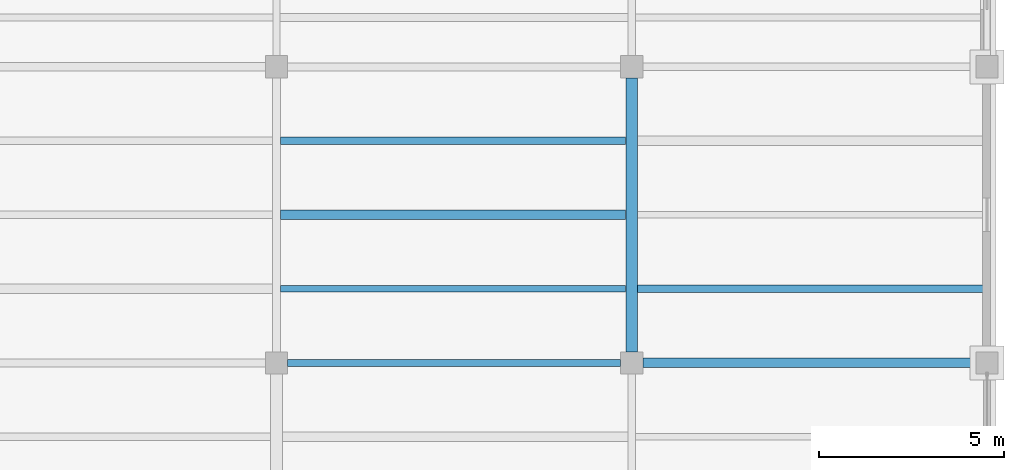
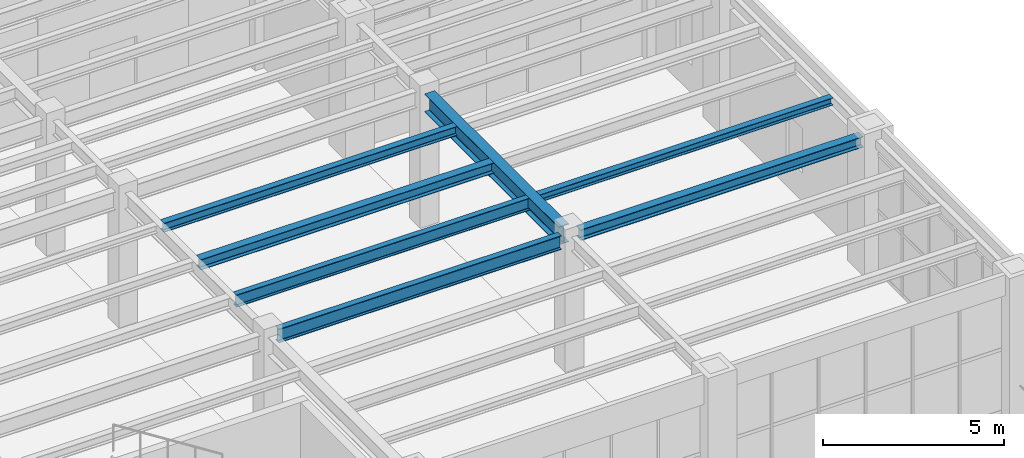
# One storey, part 39 of 83: 7 beams.
"""IFC4 building model written with IfcOpenShell, lengths in metres."""

from ifc_helpers import new_model, si_unit, direction, frame, origin, origin_2d, place, context, subcontext, project, spatial, i_section, extrude, material, material_profile, profile_set, type_object, element, save


model = new_model("IFC4")

# Units and contexts
model_context = context("Model", 3, precision=1e-05, world=origin(), true_north=direction((0.0, 1.0)))
body_context = subcontext(model_context, "Body", "Model", "MODEL_VIEW")
ifc_project = project(units=[si_unit("LENGTHUNIT", "METRE"), si_unit("AREAUNIT", "SQUARE_METRE"), si_unit("VOLUMEUNIT", "CUBIC_METRE"), si_unit("PLANEANGLEUNIT", "RADIAN"), si_unit("MASSUNIT", "GRAM", prefix="KILO")], contexts=[model_context])

# Site, building, storey
site_placement = place(None, origin())
site = spatial("IfcSite", under=ifc_project, at=site_placement, CompositionType="ELEMENT")
building_placement = place(site_placement, origin())
building = spatial("IfcBuilding", under=site, at=building_placement, Name="Mavantir Sound Aquarium", CompositionType="ELEMENT")
storey_placement = place(building_placement, frame((0.0, 0.0, 10.5)))
storey = spatial("IfcBuildingStorey", under=building, at=storey_placement, Name="L02", CompositionType="ELEMENT", Elevation=10.5)

# Beams
ifc_material = material(Name="Structural Steel ASTM A992 Gr50", Category="steel")
ifc_material_profile_1 = material_profile(ifc_material, i_section(OverallWidth=0.202880859375, OverallDepth=0.251953125, WebThickness=0.008056640625, FlangeThickness=0.013427734375, FilletRadius=0.011962890625, at=origin_2d()), Name="W250X58")
ifc_profile_set_1 = profile_set([ifc_material_profile_1], Name="Structural Steel ASTM A992 Gr50")
beam_type_1 = type_object("IfcBeamType", Name="BM-W250X58-I", PredefinedType="JOIST", material=ifc_profile_set_1)
beam_1_placement = place(storey_placement, frame((165.761962890625, 50.800048828125, 4.360107421875), z_axis=(1.0, 0.0, 0.0), x_axis=(0.0, 1.0, 0.0)))
element("IfcBeam", 1, at=beam_1_placement, inside=storey, type_object=beam_type_1, Name="L02 secondary floor joist SJ-25 924", PredefinedType="JOIST", context=body_context, shape_type="SweptSolid", body=[
    extrude(i_section(OverallWidth=0.202880859375, OverallDepth=0.251953125, WebThickness=0.008056640625, FlangeThickness=0.013427734375, FilletRadius=0.011962890625, at=origin_2d()), origin(), (0.0, 0.0, 1.0), 9.338134765625),
])
ifc_material_profile_2 = material_profile(ifc_material, i_section(OverallWidth=0.205078125, OverallDepth=0.31005859375, WebThickness=0.009521484375, FlangeThickness=0.016357421875, FilletRadius=0.012939453125, at=origin_2d()), Name="W310X74")
ifc_profile_set_2 = profile_set([ifc_material_profile_2], Name="Structural Steel ASTM A992 Gr50")
beam_type_2 = type_object("IfcBeamType", Name="BM-W310X74-I", PredefinedType="JOIST", material=ifc_profile_set_2)
beam_2_placement = place(storey_placement, frame((156.10595703125, 54.800048828125, 4.3310546875), z_axis=(1.0, 0.0, 0.0), x_axis=(0.0, 1.0, 0.0)))
element("IfcBeam", 2, at=beam_2_placement, inside=storey, type_object=beam_type_2, Name="L02 secondary floor joist SJ-31 923", PredefinedType="JOIST", context=body_context, shape_type="SweptSolid", body=[
    extrude(i_section(OverallWidth=0.205078125, OverallDepth=0.31005859375, WebThickness=0.009521484375, FlangeThickness=0.016357421875, FilletRadius=0.012939453125, at=origin_2d()), origin(), (0.0, 0.0, 1.0), 9.33203125),
])
ifc_material_profile_3 = material_profile(ifc_material, i_section(OverallWidth=0.257080078125, OverallDepth=0.363037109375, WebThickness=0.012939453125, FlangeThickness=0.021728515625, FilletRadius=0.014892578125, at=origin_2d()), Name="W360X122")
ifc_profile_set_3 = profile_set([ifc_material_profile_3], Name="Structural Steel ASTM A992 Gr50")
beam_type_3 = type_object("IfcBeamType", Name="BM-W360X122-I", PredefinedType="BEAM", material=ifc_profile_set_3)
beam_3_placement = place(storey_placement, frame((165.89990234375, 48.800048828125, 4.304443359375), z_axis=(1.0, 0.0, 0.0), x_axis=(0.0, 1.0, 0.0)))
element("IfcBeam", 3, at=beam_3_placement, inside=storey, type_object=beam_type_3, Name="L02 primary beam SB-36A 1528", PredefinedType="BEAM", context=body_context, shape_type="SweptSolid", body=[
    extrude(i_section(OverallWidth=0.257080078125, OverallDepth=0.363037109375, WebThickness=0.012939453125, FlangeThickness=0.021728515625, FilletRadius=0.014892578125, at=origin_2d()), origin(), (0.0, 0.0, 1.0), 9.0),
])
ifc_material_profile_4 = material_profile(ifc_material, i_section(OverallWidth=0.25390625, OverallDepth=0.35302734375, WebThickness=0.009521484375, FlangeThickness=0.016357421875, FilletRadius=0.014892578125, at=origin_2d()), Name="W360X91")
ifc_profile_set_4 = profile_set([ifc_material_profile_4], Name="Structural Steel ASTM A992 Gr50")
beam_type_4 = type_object("IfcBeamType", Name="BM-W360X91-I", PredefinedType="JOIST", material=ifc_profile_set_4)
beam_4_placement = place(storey_placement, frame((156.10595703125, 52.800048828125, 4.3095703125), z_axis=(1.0, 0.0, 0.0), x_axis=(0.0, 1.0, 0.0)))
element("IfcBeam", 4, at=beam_4_placement, inside=storey, type_object=beam_type_4, Name="L02 secondary floor joist SJ-36 922", PredefinedType="JOIST", context=body_context, shape_type="SweptSolid", body=[
    extrude(i_section(OverallWidth=0.25390625, OverallDepth=0.35302734375, WebThickness=0.009521484375, FlangeThickness=0.016357421875, FilletRadius=0.014892578125, at=origin_2d()), origin(), (0.0, 0.0, 1.0), 9.33203125),
])
ifc_material_profile_5 = material_profile(ifc_material, i_section(OverallWidth=0.180908203125, OverallDepth=0.4169921875, WebThickness=0.010986328125, FlangeThickness=0.018310546875, FilletRadius=0.014892578125, at=origin_2d()), Name="W410X85")
ifc_profile_set_5 = profile_set([ifc_material_profile_5], Name="Structural Steel ASTM A992 Gr50")
beam_type_5 = type_object("IfcBeamType", Name="BM-W410X85-I", PredefinedType="JOIST", material=ifc_profile_set_5)
beam_5_placement = place(storey_placement, frame((156.10595703125, 50.800048828125, 4.277587890625), z_axis=(1.0, 0.0, 0.0), x_axis=(0.0, 1.0, 0.0)))
element("IfcBeam", 5, at=beam_5_placement, inside=storey, type_object=beam_type_5, Name="L02 secondary floor joist SJ-41 921", PredefinedType="JOIST", context=body_context, shape_type="SweptSolid", body=[
    extrude(i_section(OverallWidth=0.180908203125, OverallDepth=0.4169921875, WebThickness=0.010986328125, FlangeThickness=0.018310546875, FilletRadius=0.014892578125, at=origin_2d()), origin(), (0.0, 0.0, 1.0), 9.33203125),
])
ifc_material_profile_6 = material_profile(ifc_material, i_section(OverallWidth=0.194091796875, OverallDepth=0.468994140625, WebThickness=0.0126953125, FlangeThickness=0.0205078125, FilletRadius=0.01611328125, at=origin_2d()), Name="W460X106")
ifc_profile_set_6 = profile_set([ifc_material_profile_6], Name="Structural Steel ASTM A992 Gr50")
beam_type_6 = type_object("IfcBeamType", Name="BM-W460X106-I", PredefinedType="BEAM", material=ifc_profile_set_6)
beam_6_placement = place(storey_placement, frame((156.300048828125, 48.800048828125, 4.25146484375), z_axis=(1.0, 0.0, 0.0), x_axis=(0.0, 1.0, 0.0)))
element("IfcBeam", 6, at=beam_6_placement, inside=storey, type_object=beam_type_6, Name="L02 primary beam SB-46 1527", PredefinedType="BEAM", context=body_context, shape_type="SweptSolid", body=[
    extrude(i_section(OverallWidth=0.194091796875, OverallDepth=0.468994140625, WebThickness=0.0126953125, FlangeThickness=0.0205078125, FilletRadius=0.01611328125, at=origin_2d()), origin(), (0.0, 0.0, 1.0), 9.0),
])
ifc_material_profile_7 = material_profile(ifc_material, i_section(OverallWidth=0.323974609375, OverallDepth=0.611083984375, WebThickness=0.0126953125, FlangeThickness=0.01904296875, FilletRadius=0.01904296875, at=origin_2d()), Name="W610X155")
ifc_profile_set_7 = profile_set([ifc_material_profile_7], Name="Structural Steel ASTM A992 Gr50")
beam_type_7 = type_object("IfcBeamType", Name="BM-W610X155-I", PredefinedType="BEAM", material=ifc_profile_set_7)
beam_7_placement = place(storey_placement, frame((165.60009765625, 49.10009765625, 4.180419921875), z_axis=(0.0, 1.0, 0.0), x_axis=(-1.0, 0.0, 0.0)))
element("IfcBeam", 7, at=beam_7_placement, inside=storey, type_object=beam_type_7, Name="L02 primary girder SB-61A 1597", PredefinedType="BEAM", context=body_context, shape_type="SweptSolid", body=[
    extrude(i_section(OverallWidth=0.323974609375, OverallDepth=0.611083984375, WebThickness=0.0126953125, FlangeThickness=0.01904296875, FilletRadius=0.01904296875, at=origin_2d()), origin(), (0.0, 0.0, 1.0), 7.39990234375),
])

save(model, "model.ifc")
